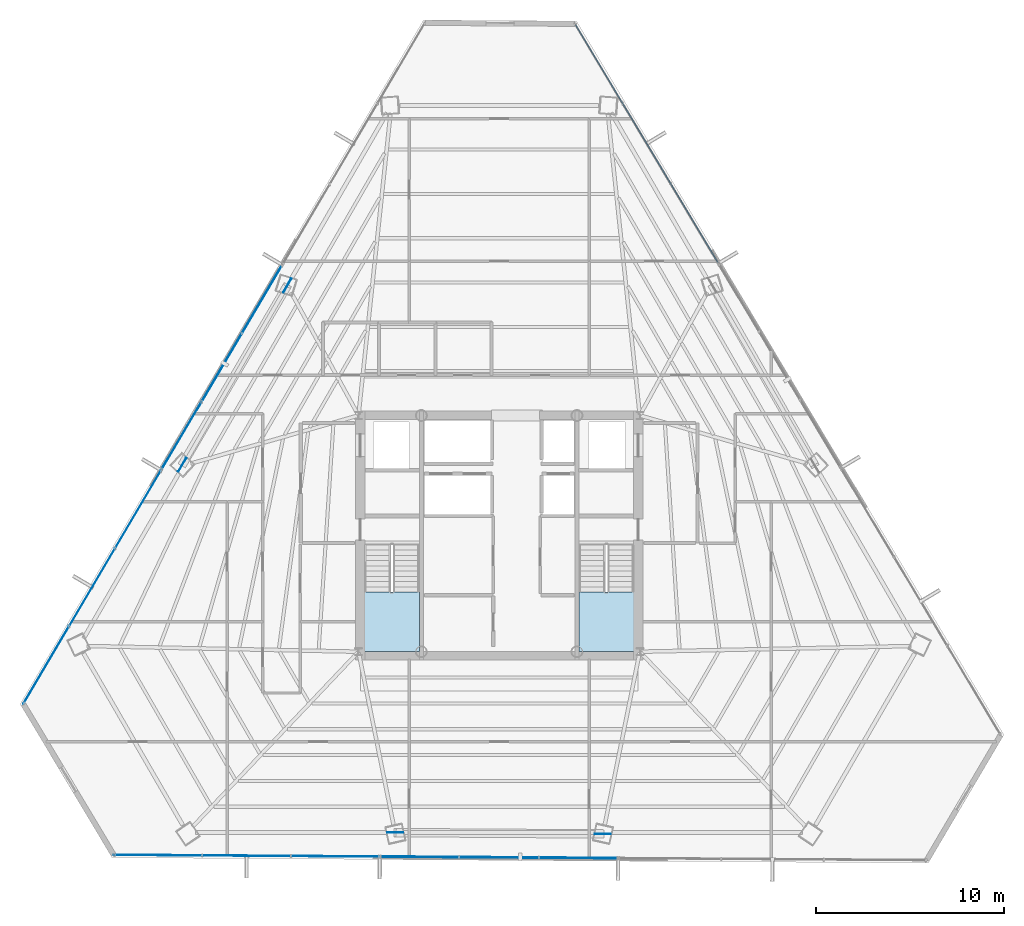
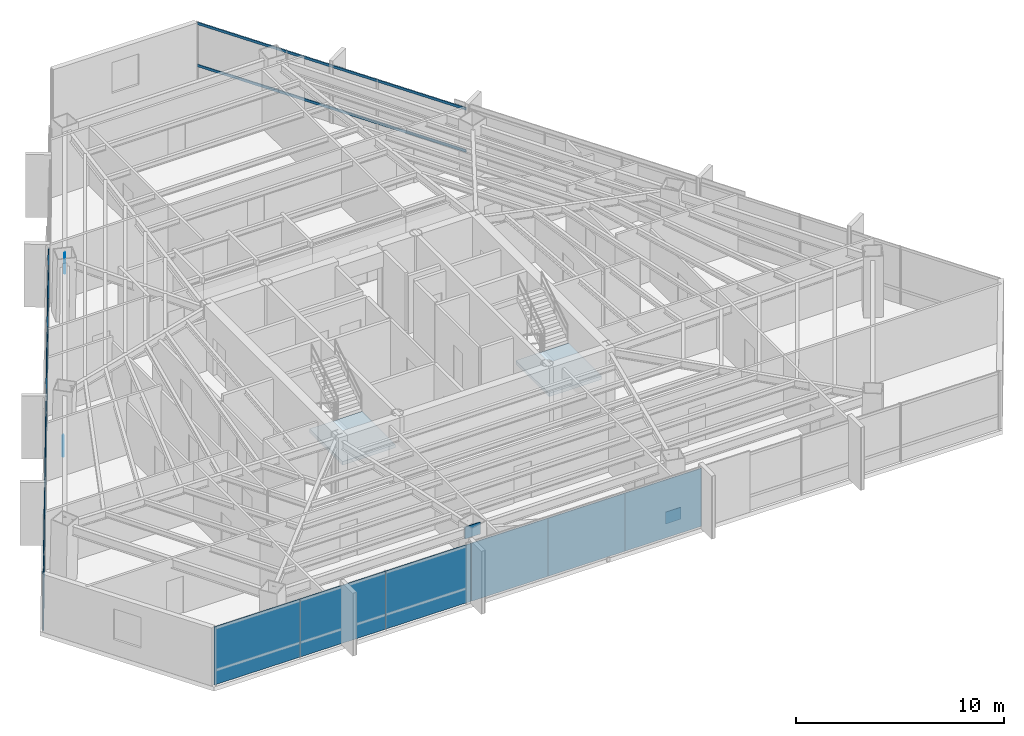
# One storey, part 33 of 41: 16 plates, 2 members, 2 slabs, 7 elements without a shape of their own.
"""IFC4 building model written with IfcOpenShell, lengths in metres."""

import ifcopenshell
import ifcopenshell.guid

model = None  # the IFC model being written
_history = None  # IfcOwnerHistory: only IFC2X3 demands one
_inside = {}  # id of a spatial element -> (the spatial element, [elements in it])
_under = {}  # id of a project, library or spatial element -> (it, [spatial elements below it])
_declared = {}  # id of a project -> (the project, [libraries it declares])
_typed = {}  # id of a type object -> (the type object, [elements of that type])
_made_of = {}  # id of a material, layer set ... -> (it, [elements and type objects made of it])


def new_model(schema):
    """Start an empty IFC model of exactly this schema.

    Asked for "IFC4X3", IfcOpenShell would pick the latest addendum, in which some entities
    have other attributes; the version numbers below select the first issue.
    IFC2X3 requires an IfcOwnerHistory on every rooted entity: one is made here for all.
    """
    global model, _history
    if schema == "IFC4X3":
        model = ifcopenshell.file(schema_version=(4, 3, 0, 0))
    else:
        model = ifcopenshell.file(schema=schema)
    _inside.clear()
    _under.clear()
    _declared.clear()
    _typed.clear()
    _made_of.clear()
    _history = None
    if model.schema == "IFC2X3":
        org = make("IfcOrganization", Name="unknown")
        user = make(
            "IfcPersonAndOrganization",
            ThePerson=make("IfcPerson", FamilyName="unknown"),
            TheOrganization=org,
        )
        app = make(
            "IfcApplication",
            ApplicationDeveloper=org,
            Version="unknown",
            ApplicationFullName="unknown",
            ApplicationIdentifier="unknown",
        )
        _history = make(
            "IfcOwnerHistory",
            OwningUser=user,
            OwningApplication=app,
            ChangeAction="ADDED",
            CreationDate=0,
        )
    return model


def make(cls, **values):
    """One entity of the class cls with the attributes given. An attribute that is None is left unset."""
    return model.create_entity(
        cls, **{name: value for name, value in values.items() if value is not None}
    )


def rooted(cls, **values):
    """An entity with a GlobalId (a new one), such as an element, a storey or a relation."""
    return make(cls, GlobalId=ifcopenshell.guid.new(), OwnerHistory=_history, **values)


def si_unit(unit_type, name, prefix=None):
    """IfcSIUnit, for example si_unit("LENGTHUNIT", "METRE", prefix="MILLI")."""
    return make("IfcSIUnit", UnitType=unit_type, Prefix=prefix, Name=name)


def assignment(units):
    """IfcUnitAssignment: the units of a project."""
    return None if units is None else make("IfcUnitAssignment", Units=units)


def point(xyz):
    """IfcCartesianPoint."""
    return None if xyz is None else make("IfcCartesianPoint", Coordinates=xyz)


def direction(xyz):
    """IfcDirection."""
    return None if xyz is None else make("IfcDirection", DirectionRatios=xyz)


def frame(location, z_axis=None, x_axis=None):
    """IfcAxis2Placement3D, a coordinate frame: its origin and axes. An axis left out is left unset."""
    return make(
        "IfcAxis2Placement3D",
        Location=point(location),
        Axis=direction(z_axis),
        RefDirection=direction(x_axis),
    )


def frame_2d(location, x_axis=None):
    """IfcAxis2Placement2D, a coordinate frame in the plane: its origin and x axis."""
    return make(
        "IfcAxis2Placement2D", Location=point(location), RefDirection=direction(x_axis)
    )


def origin():
    """The frame at (0, 0, 0) with its axes left unset."""
    return frame((0.0, 0.0, 0.0))


def origin_2d():
    """The frame at (0, 0) in the plane with its x axis left unset."""
    return frame_2d((0.0, 0.0))


def place(relative_to, where):
    """IfcLocalPlacement: puts the frame where relative to a parent placement (None: the world)."""
    return make(
        "IfcLocalPlacement", PlacementRelTo=relative_to, RelativePlacement=where
    )


def context(
    kind, dimensions, precision=None, world=None, true_north=None, identifier=None
):
    """IfcGeometricRepresentationContext, for example the 3D "Model" context."""
    return make(
        "IfcGeometricRepresentationContext",
        ContextIdentifier=identifier,
        ContextType=kind,
        CoordinateSpaceDimension=dimensions,
        Precision=precision,
        WorldCoordinateSystem=world,
        TrueNorth=true_north,
    )


def subcontext(parent, identifier, kind, view, scale=None):
    """IfcGeometricRepresentationSubContext, for example "Body" below "Model"."""
    return make(
        "IfcGeometricRepresentationSubContext",
        ContextIdentifier=identifier,
        ContextType=kind,
        ParentContext=parent,
        TargetScale=scale,
        TargetView=view,
    )


def project(units=None, contexts=None):
    """IfcProject with its units and contexts."""
    return rooted(
        "IfcProject",
        Name="project",
        RepresentationContexts=contexts,
        UnitsInContext=assignment(units),
    )


def spatial(cls, under=None, at=None, **own):
    """A site, building, storey or space (cls), placed at a placement, below another one or the project."""
    s = rooted(cls, ObjectPlacement=at, **own)
    if under is not None:
        _under.setdefault(under.id(), (under, []))[1].append(s)
    return s


def polyline(points):
    """IfcPolyline through the points."""
    return make("IfcPolyline", Points=[point(p) for p in points])


def profile(cls, at=None, kind="AREA", **sizes):
    """A parametric profile (cls). Its sizes go by their IFC names, for example OverallWidth=200.0."""
    return make(cls, ProfileType=kind, Position=at, **sizes)


def rectangle(**sizes):
    """IfcRectangleProfileDef."""
    return profile("IfcRectangleProfileDef", **sizes)


def hollow_rectangle(**sizes):
    """IfcRectangleHollowProfileDef."""
    return profile("IfcRectangleHollowProfileDef", **sizes)


def outline(outer, holes=None, kind="AREA"):
    """IfcArbitraryClosedProfileDef: a profile drawn as a closed curve; with holes, ...WithVoids."""
    if holes is None:
        return make("IfcArbitraryClosedProfileDef", ProfileType=kind, OuterCurve=outer)
    return make(
        "IfcArbitraryProfileDefWithVoids",
        ProfileType=kind,
        OuterCurve=outer,
        InnerCurves=holes,
    )


def extrude(swept, where, along, depth):
    """IfcExtrudedAreaSolid: the profile swept, set in the frame where, extruded along a direction by depth."""
    return make(
        "IfcExtrudedAreaSolid",
        SweptArea=swept,
        Position=where,
        ExtrudedDirection=direction(along),
        Depth=depth,
    )


def shape(context_of_items, identifier, shape_type, items):
    """IfcShapeRepresentation: the items that make up one representation, for example the "Body"."""
    return make(
        "IfcShapeRepresentation",
        ContextOfItems=context_of_items,
        RepresentationIdentifier=identifier,
        RepresentationType=shape_type,
        Items=items,
    )


def source(mapping_origin, context_of_items, identifier, shape_type, items):
    """IfcRepresentationMap: a shape defined once, which mapped items show again and again."""
    return make(
        "IfcRepresentationMap",
        MappingOrigin=mapping_origin,
        MappedRepresentation=shape(context_of_items, identifier, shape_type, items),
    )


def transform(
    local_origin,
    x_axis=None,
    y_axis=None,
    z_axis=None,
    scale=None,
    scale2=None,
    scale3=None,
    uniform=True,
):
    """IfcCartesianTransformationOperator3D, or its non-uniform kind. x_axis, y_axis, z_axis: its Axis1, 2, 3."""
    if uniform:
        return make(
            "IfcCartesianTransformationOperator3D",
            Axis1=direction(x_axis),
            Axis2=direction(y_axis),
            LocalOrigin=point(local_origin),
            Scale=scale,
            Axis3=direction(z_axis),
        )
    return make(
        "IfcCartesianTransformationOperator3DnonUniform",
        Axis1=direction(x_axis),
        Axis2=direction(y_axis),
        LocalOrigin=point(local_origin),
        Scale=scale,
        Axis3=direction(z_axis),
        Scale2=scale2,
        Scale3=scale3,
    )


def mapped(mapping_source, mapping_target):
    """IfcMappedItem: shows the shape of a source again, moved by a transform."""
    return make(
        "IfcMappedItem", MappingSource=mapping_source, MappingTarget=mapping_target
    )


def material(Name=None, Category=None):
    """IfcMaterial."""
    return make("IfcMaterial", Name=Name, Category=Category)


def layer(
    of_material, thickness, ventilated=None, Name=None, Category=None, Priority=None
):
    """IfcMaterialLayer: one layer of a wall or slab, of a material (None: an air gap)."""
    return make(
        "IfcMaterialLayer",
        Material=of_material,
        LayerThickness=thickness,
        IsVentilated=ventilated,
        Name=Name,
        Category=Category,
        Priority=Priority,
    )


def layer_set(layers, Name=None):
    """IfcMaterialLayerSet."""
    return make("IfcMaterialLayerSet", MaterialLayers=layers, LayerSetName=Name)


def material_profile(
    of_material, cross_section, Name=None, Category=None, Priority=None
):
    """IfcMaterialProfile: a cross section and its material."""
    return make(
        "IfcMaterialProfile",
        Name=Name,
        Material=of_material,
        Profile=cross_section,
        Priority=Priority,
        Category=Category,
    )


def profile_set(profiles, Name=None, composite=None):
    """IfcMaterialProfileSet."""
    return make(
        "IfcMaterialProfileSet",
        Name=Name,
        MaterialProfiles=profiles,
        CompositeProfile=composite,
    )


def made_of(thing, what):
    """Note that an element or type object is made of a material, layer set ...; save() writes the relation."""
    if what is not None:
        _made_of.setdefault(what.id(), (what, []))[1].append(thing)
    return thing


def type_object(cls, material=None, **own):
    """A type object (cls), such as IfcWallType, which elements share."""
    return made_of(rooted(cls, **own), material)


def type_shapes(of_type, sources):
    """Give a type object the sources (RepresentationMaps) that its elements show as mapped items."""
    of_type.RepresentationMaps = sources


def element(
    cls,
    number,
    at=None,
    inside=None,
    cuts=None,
    type_object=None,
    material=None,
    context=None,
    identifier="Body",
    shape_type=None,
    held_by="IfcProductDefinitionShape",
    body=None,
    shapes=None,
    **own,
):
    """One element of the class cls, such as IfcWall. Its Tag is "e" and its number.

    at: its placement. inside: the storey or other place that contains it. cuts: it is an
    opening in that element (IfcRelVoidsElement). A single representation is given by context,
    identifier, shape_type and body (its items); several are given by shapes. held_by: the class
    of the entity that holds the representations. save() writes the other relations.
    """
    e = rooted(cls, Tag="e%d" % number, ObjectPlacement=at, **own)
    if body is not None:
        shapes = [shape(context, identifier, shape_type, body)]
    if shapes is not None:
        e.Representation = make(held_by, Representations=shapes)
    if inside is not None:
        _inside.setdefault(inside.id(), (inside, []))[1].append(e)
    if cuts is not None:
        rooted(
            "IfcRelVoidsElement", RelatingBuildingElement=cuts, RelatedOpeningElement=e
        )
    if type_object is not None:
        _typed.setdefault(type_object.id(), (type_object, []))[1].append(e)
    return made_of(e, material)


def aggregate(whole, parts):
    """IfcRelAggregates: a whole, such as a stair, and the parts it consists of."""
    return rooted("IfcRelAggregates", RelatingObject=whole, RelatedObjects=parts)


def save(model, path):
    """Write the relations noted so far, then the file.

    IfcRelAggregates (storeys below a building ...), IfcRelContainedInSpatialStructure (elements
    in a storey), IfcRelDefinesByType, IfcRelAssociatesMaterial and IfcRelDeclares: one each for
    every whole, place, type object, material and project.
    """
    for whole, parts in _under.values():
        aggregate(whole, parts)
    for where, things in _inside.values():
        rooted(
            "IfcRelContainedInSpatialStructure",
            RelatedElements=things,
            RelatingStructure=where,
        )
    for kind, things in _typed.values():
        rooted("IfcRelDefinesByType", RelatedObjects=things, RelatingType=kind)
    for what, things in _made_of.values():
        rooted("IfcRelAssociatesMaterial", RelatedObjects=things, RelatingMaterial=what)
    for by, libraries in _declared.values():
        rooted("IfcRelDeclares", RelatingContext=by, RelatedDefinitions=libraries)
    model.write(path)


model = new_model("IFC4")

# Units and contexts
model_context = context("Model", 3, precision=1e-05, world=origin(), true_north=direction((0.0, 1.0)))
body_context = subcontext(model_context, "Body", "Model", "MODEL_VIEW")
ifc_project = project(units=[si_unit("LENGTHUNIT", "METRE"), si_unit("AREAUNIT", "SQUARE_METRE"), si_unit("VOLUMEUNIT", "CUBIC_METRE"), si_unit("PLANEANGLEUNIT", "RADIAN"), si_unit("MASSUNIT", "GRAM", prefix="KILO")], contexts=[model_context])

# Site, building, storey
site_placement = place(None, origin())
site = spatial("IfcSite", under=ifc_project, at=site_placement, CompositionType="ELEMENT")
building_placement = place(site_placement, origin())
building = spatial("IfcBuilding", under=site, at=building_placement, Name="Caelisora Broadcast Tower", CompositionType="ELEMENT")
storey_placement = place(building_placement, frame((0.0, 0.0, 173.10009765625)))
storey = spatial("IfcBuildingStorey", under=building, at=storey_placement, Name="L45", CompositionType="ELEMENT", Elevation=173.10009765625)

# Curtain wall, members
ifc_material_1 = material(Name="Unitised Aluminium and Low-E Glass Curtain Wall", Category="glass")
curtain_wall_type_1 = type_object("IfcCurtainWallType", Name="CW-Z3", PredefinedType="NOTDEFINED", material=ifc_material_1)
curtain_wall_1_placement = place(storey_placement, origin())
curtain_wall_1 = element("IfcCurtainWall", 1, at=curtain_wall_1_placement, inside=storey, type_object=curtain_wall_type_1, Name="L45 curtain wall CW-Z3", PredefinedType="NOTDEFINED")
ifc_material_2 = material(Name="Aluminium 6063-T6 Anodised Terracotta Bronze", Category="aluminium")
ifc_material_profile = material_profile(ifc_material_2, hollow_rectangle(XDim=0.06005859375, YDim=0.14990234375, WallThickness=0.00341796875, at=origin_2d()), Name="Aluminium 6063-T6 Anodised Terracotta Bronze")
ifc_profile_set = profile_set([ifc_material_profile], Name="Aluminium 6063-T6 Anodised Terracotta Bronze")
member_type = type_object("IfcMemberType", Name="CWT-02", PredefinedType="USERDEFINED", material=ifc_profile_set)
shared_shape_1 = source(origin(), body_context, "Body", "SweptSolid", [
    extrude(hollow_rectangle(XDim=0.06005859375, YDim=0.14990234375, WallThickness=0.00341796875, at=origin_2d()), origin(), (0.0, 0.0, 1.0), 14.787109375),
])
type_shapes(member_type, [shared_shape_1])
member_1_placement = place(storey_placement, frame((42.07080078125, 50.841064453125, 0.849853515625), z_axis=(0.513706434737, -0.857966024333, 0.0), x_axis=(0.857966024333, 0.513706434737, 0.0)))
member_1 = element("IfcMember", 2, at=member_1_placement, type_object=member_type, Name="L45-CW-B01 transom #1", ObjectType="TRANSOM", PredefinedType="USERDEFINED", context=body_context, shape_type="MappedRepresentation", body=[
    mapped(shared_shape_1, transform((0.0, 0.0, 0.0), scale=1.0)),
])
member_2_placement = place(storey_placement, frame((42.07080078125, 50.841064453125, 3.31982421875), z_axis=(0.513706434737, -0.857966024333, 0.0), x_axis=(0.857966024333, 0.513706434737, 0.0)))
member_2 = element("IfcMember", 3, at=member_2_placement, type_object=member_type, Name="L45-CW-B01 transom #2", ObjectType="TRANSOM", PredefinedType="USERDEFINED", context=body_context, shape_type="MappedRepresentation", body=[
    mapped(shared_shape_1, transform((0.0, 0.0, 0.0), scale=1.0)),
])
aggregate(curtain_wall_1, [member_1, member_2])

# Stair, slab
ifc_material_3 = material(Name="Concrete 40 MPa (AS 3600 N40)", Category="concrete")
stair_type_1 = type_object("IfcStairType", Name="ST-1", PredefinedType="HALF_TURN_STAIR", material=ifc_material_3)
stair_1_placement = place(storey_placement, origin())
stair_1 = element("IfcStair", 4, at=stair_1_placement, inside=storey, type_object=stair_type_1, Name="L45 West Fire-Isolated Tower Stair", PredefinedType="HALF_TURN_STAIR")
ifc_layer_1 = layer(ifc_material_3, 0.199951171875, Name="Concrete 40 MPa (AS 3600 N40)")
ifc_layer_set_1 = layer_set([ifc_layer_1], Name="Concrete 40 MPa (AS 3600 N40)")
slab_type = type_object("IfcSlabType", Name="STL-1", PredefinedType="LANDING", material=ifc_layer_set_1)
slab_1_placement = place(storey_placement, frame((0.0, 0.0, 1.625)))
slab_1 = element("IfcSlab", 5, at=slab_1_placement, type_object=slab_type, Name="ST-1 landing 1", PredefinedType="LANDING", context=body_context, shape_type="SweptSolid", body=[
    extrude(outline(polyline([(30.820068359375, 20.580078125), (30.820068359375, 17.39990234375), (33.739990234375, 17.39990234375), (33.739990234375, 20.580078125), (30.820068359375, 20.580078125)])), origin(), (0.0, 0.0, 1.0), 0.199951171875),
])
aggregate(stair_1, [slab_1])

stair_type_2 = type_object("IfcStairType", Name="ST-2", PredefinedType="HALF_TURN_STAIR", material=ifc_material_3)
stair_2_placement = place(storey_placement, origin())
stair_2 = element("IfcStair", 6, at=stair_2_placement, inside=storey, type_object=stair_type_2, Name="L45 East Fire-Isolated Tower Stair", PredefinedType="HALF_TURN_STAIR")
slab_2_placement = place(storey_placement, frame((0.0, 0.0, 1.625)))
slab_2 = element("IfcSlab", 7, at=slab_2_placement, type_object=slab_type, Name="ST-2 landing 1", PredefinedType="LANDING", context=body_context, shape_type="SweptSolid", body=[
    extrude(outline(polyline([(42.260009765625, 20.580078125), (42.260009765625, 17.39990234375), (45.179931640625, 17.39990234375), (45.179931640625, 20.580078125), (42.260009765625, 20.580078125)])), origin(), (0.0, 0.0, 1.0), 0.199951171875),
])
aggregate(stair_2, [slab_2])

# Plates
ifc_material_4 = material(Name="Steel Grade 350 L15 (AS/NZS 3678)", Category="steel")
ifc_layer_2 = layer(ifc_material_4, 0.0400390625, Name="Steel Grade 350 L15 (AS/NZS 3678)")
ifc_layer_set_2 = layer_set([ifc_layer_2], Name="Steel Grade 350 L15 (AS/NZS 3678)")
plate_type_1 = type_object("IfcPlateType", Name="GP04", PredefinedType="USERDEFINED", material=ifc_layer_set_2)
shared_shape_2 = source(origin(), body_context, "Body", "SweptSolid", [
    extrude(rectangle(XDim=0.85009765625, YDim=0.0400390625, at=origin_2d()), origin(), (0.0, 0.0, 1.0), 0.699951171875),
])
type_shapes(plate_type_1, [shared_shape_2])
for number, where, z_axis, x_axis, name in (
    (8, (26.704345703125, 36.9267578125, 2.72998046875), (0.0, 0.0, 1.0), (-0.5, -0.866025403784, 0.0), "L45 gusset plate GP04 (ND-L45-C02T)"),
    (9, (21.102783203125, 27.369384765625, -0.22998046875), (0.0, 0.0, 1.0), (-0.5, -0.866025403784, 0.0), "L45 gusset plate GP04 (ND-L45-C03B)"),
    (10, (32.452880859375, 7.75439453125, 2.72998046875), (0.0, 0.0, 1.0), (1.0, 0.0, 0.0), "L45 gusset plate GP04 (ND-L45-C06T)"),
    (11, (43.53076171875, 7.681884765625, -0.22998046875), (0.0, 0.0, 1.0), (1.0, 0.0, 0.0), "L45 gusset plate GP04 (ND-L45-C07B)"),
):
    element("IfcPlate", number, at=place(storey_placement, frame(where, z_axis=z_axis, x_axis=x_axis)), inside=storey, type_object=plate_type_1, Name=name, ObjectType="GUSSET PLATE", PredefinedType="USERDEFINED", context=body_context, shape_type="MappedRepresentation", body=[
        mapped(shared_shape_2, transform((0.0, 0.0, 0.0), scale=1.0)),
    ])

# Curtain wall, plates
ifc_material_5 = material(Name="Unitised Aluminium Insulated Shadow-Box Spandrel Curtain Wall", Category="aluminium")
curtain_wall_type_2 = type_object("IfcCurtainWallType", Name="CW-SP2", PredefinedType="NOTDEFINED", material=ifc_material_5)
curtain_wall_2_placement = place(storey_placement, origin())
curtain_wall_2 = element("IfcCurtainWall", 12, at=curtain_wall_2_placement, inside=storey, type_object=curtain_wall_type_2, Name="L45 curtain wall CW-SP2", PredefinedType="NOTDEFINED")
ifc_material_6 = material(Name="Insulated Terracotta Shadow-Box Spandrel Panel", Category="aluminium")
ifc_layer_3 = layer(ifc_material_6, 0.0439453125, Name="Insulated Terracotta Shadow-Box Spandrel Panel")
ifc_layer_set_3 = layer_set([ifc_layer_3], Name="Insulated Terracotta Shadow-Box Spandrel Panel")
plate_type_2 = type_object("IfcPlateType", Name="CWP-10", PredefinedType="CURTAIN_PANEL", material=ifc_layer_set_3)
shared_shape_3 = source(origin(), body_context, "Body", "SweptSolid", [
    extrude(rectangle(XDim=4.233642578125, YDim=0.0439453125, at=origin_2d()), origin(), (0.0, 0.0, 1.0), 3.39990234375),
])
type_shapes(plate_type_2, [shared_shape_3])
plate_1_placement = place(storey_placement, frame((42.225341796875, 6.40087890625, 0.0), z_axis=(0.0, 0.0, 1.0), x_axis=(-0.999978006703, 0.006632202536, 0.0)))
plate_1 = element("IfcPlate", 13, at=plate_1_placement, type_object=plate_type_2, Name="L45-CW-B06 spandrel panel #1", PredefinedType="CURTAIN_PANEL", context=body_context, shape_type="MappedRepresentation", body=[
    mapped(shared_shape_3, transform((0.0, 0.0, 0.0), scale=1.0)),
])
plate_2_placement = place(storey_placement, frame((37.99169921875, 6.428955078125, 0.0), z_axis=(0.0, 0.0, 1.0), x_axis=(-0.999978006703, 0.006632202536, 0.0)))
plate_2 = element("IfcPlate", 14, at=plate_2_placement, type_object=plate_type_2, Name="L45-CW-B06 spandrel panel #2", PredefinedType="CURTAIN_PANEL", context=body_context, shape_type="MappedRepresentation", body=[
    mapped(shared_shape_3, transform((0.0, 0.0, 0.0), scale=1.0)),
])
plate_3_placement = place(storey_placement, frame((33.758056640625, 6.45703125, 0.0), z_axis=(0.0, 0.0, 1.0), x_axis=(-0.999978006703, 0.006632202536, 0.0)))
plate_3 = element("IfcPlate", 15, at=plate_3_placement, type_object=plate_type_2, Name="L45-CW-B06 spandrel panel #3", PredefinedType="CURTAIN_PANEL", context=body_context, shape_type="MappedRepresentation", body=[
    mapped(shared_shape_3, transform((0.0, 0.0, 0.0), scale=1.0)),
])
aggregate(curtain_wall_2, [plate_1, plate_2, plate_3])

curtain_wall_3_placement = place(storey_placement, origin())
curtain_wall_3 = element("IfcCurtainWall", 16, at=curtain_wall_3_placement, inside=storey, type_object=curtain_wall_type_2, Name="L45 curtain wall CW-SP2", PredefinedType="NOTDEFINED")
plate_4_placement = place(storey_placement, frame((21.0537109375, 28.90380859375, 0.0), z_axis=(0.0, 0.0, 1.0), x_axis=(0.507989441341, 0.861363295878, 0.0)))
plate_4 = element("IfcPlate", 17, at=plate_4_placement, type_object=plate_type_2, Name="L45-CW-B10 spandrel panel #1", PredefinedType="CURTAIN_PANEL", context=body_context, shape_type="MappedRepresentation", body=[
    mapped(shared_shape_3, transform((0.0, 0.0, 0.0), scale=1.0)),
])
plate_5_placement = place(storey_placement, frame((23.20458984375, 32.55029296875, 0.0), z_axis=(0.0, 0.0, 1.0), x_axis=(0.507989441341, 0.861363295878, 0.0)))
plate_5 = element("IfcPlate", 18, at=plate_5_placement, type_object=plate_type_2, Name="L45-CW-B10 spandrel panel #2", PredefinedType="CURTAIN_PANEL", context=body_context, shape_type="MappedRepresentation", body=[
    mapped(shared_shape_3, transform((0.0, 0.0, 0.0), scale=1.0)),
])
plate_6_placement = place(storey_placement, frame((25.35546875, 36.197021484375, 0.0), z_axis=(0.0, 0.0, 1.0), x_axis=(0.507989441341, 0.861363295878, 0.0)))
plate_6 = element("IfcPlate", 19, at=plate_6_placement, type_object=plate_type_2, Name="L45-CW-B10 spandrel panel #3", PredefinedType="CURTAIN_PANEL", context=body_context, shape_type="MappedRepresentation", body=[
    mapped(shared_shape_3, transform((0.0, 0.0, 0.0), scale=1.0)),
])
aggregate(curtain_wall_3, [plate_4, plate_5, plate_6])

curtain_wall_4_placement = place(storey_placement, origin())
curtain_wall_4 = element("IfcCurtainWall", 20, at=curtain_wall_4_placement, inside=storey, type_object=curtain_wall_type_1, Name="L45 curtain wall CW-Z3", PredefinedType="NOTDEFINED")
ifc_material_7 = material(Name="Double Glazed Low-E Argon IGU", Category="glass")
ifc_layer_4 = layer(ifc_material_7, 0.031982421875, Name="Double Glazed Low-E Argon IGU")
ifc_layer_set_4 = layer_set([ifc_layer_4], Name="Double Glazed Low-E Argon IGU")
plate_type_3 = type_object("IfcPlateType", Name="CWP-04", PredefinedType="CURTAIN_PANEL", material=ifc_layer_set_4)
shared_shape_4 = source(origin(), body_context, "Body", "SweptSolid", [
    extrude(rectangle(XDim=4.73046875, YDim=0.031982421875, at=origin_2d()), origin(), (0.0, 0.0, 1.0), 3.39990234375),
])
plate_7_placement = place(storey_placement, frame((29.26611328125, 6.48681640625, 0.0), z_axis=(0.0, 0.0, 1.0), x_axis=(-0.999978006703, 0.006632202536, 0.0)))
plate_7 = element("IfcPlate", 21, at=plate_7_placement, type_object=plate_type_3, Name="L45-CW-B07 glazed panel #1", PredefinedType="CURTAIN_PANEL", context=body_context, shape_type="MappedRepresentation", body=[
    mapped(shared_shape_4, transform((0.0, 0.0, 0.0), scale=1.0)),
])
plate_8_placement = place(storey_placement, frame((24.53564453125, 6.51806640625, 0.0), z_axis=(0.0, 0.0, 1.0), x_axis=(-0.999978006703, 0.006632202536, 0.0)))
plate_8 = element("IfcPlate", 22, at=plate_8_placement, type_object=plate_type_3, Name="L45-CW-B07 glazed panel #2", PredefinedType="CURTAIN_PANEL", context=body_context, shape_type="MappedRepresentation", body=[
    mapped(shared_shape_4, transform((0.0, 0.0, 0.0), scale=1.0)),
])
plate_9_placement = place(storey_placement, frame((19.80517578125, 6.54931640625, 0.0), z_axis=(0.0, 0.0, 1.0), x_axis=(-0.999978006703, 0.006632202536, 0.0)))
plate_9 = element("IfcPlate", 23, at=plate_9_placement, type_object=plate_type_3, Name="L45-CW-B07 glazed panel #3", PredefinedType="CURTAIN_PANEL", context=body_context, shape_type="MappedRepresentation", body=[
    mapped(shared_shape_4, transform((0.0, 0.0, 0.0), scale=1.0)),
])
aggregate(curtain_wall_4, [plate_7, plate_8, plate_9])

curtain_wall_5_placement = place(storey_placement, origin())
curtain_wall_5 = element("IfcCurtainWall", 24, at=curtain_wall_5_placement, inside=storey, type_object=curtain_wall_type_1, Name="L45 curtain wall CW-Z3", PredefinedType="NOTDEFINED")
shared_shape_5 = source(origin(), body_context, "Body", "SweptSolid", [
    extrude(rectangle(XDim=4.82275390625, YDim=0.031982421875, at=origin_2d()), origin(), (0.0, 0.0, 1.0), 3.39990234375),
])
type_shapes(plate_type_3, [shared_shape_4, shared_shape_5])
plate_10_placement = place(storey_placement, frame((13.84814453125, 16.68701171875, 0.0), z_axis=(0.0, 0.0, 1.0), x_axis=(0.507989441341, 0.861363295878, 0.0)))
plate_10 = element("IfcPlate", 25, at=plate_10_placement, type_object=plate_type_3, Name="L45-CW-B09 glazed panel #1", PredefinedType="CURTAIN_PANEL", context=body_context, shape_type="MappedRepresentation", body=[
    mapped(shared_shape_5, transform((0.0, 0.0, 0.0), scale=1.0)),
])
plate_11_placement = place(storey_placement, frame((16.298095703125, 20.8408203125, 0.0), z_axis=(0.0, 0.0, 1.0), x_axis=(0.507989441341, 0.861363295878, 0.0)))
plate_11 = element("IfcPlate", 26, at=plate_11_placement, type_object=plate_type_3, Name="L45-CW-B09 glazed panel #2", PredefinedType="CURTAIN_PANEL", context=body_context, shape_type="MappedRepresentation", body=[
    mapped(shared_shape_5, transform((0.0, 0.0, 0.0), scale=1.0)),
])
plate_12_placement = place(storey_placement, frame((18.748291015625, 24.994873046875, 0.0), z_axis=(0.0, 0.0, 1.0), x_axis=(0.507989441341, 0.861363295878, 0.0)))
plate_12 = element("IfcPlate", 27, at=plate_12_placement, type_object=plate_type_3, Name="L45-CW-B09 glazed panel #3", PredefinedType="CURTAIN_PANEL", context=body_context, shape_type="MappedRepresentation", body=[
    mapped(shared_shape_5, transform((0.0, 0.0, 0.0), scale=1.0)),
])
aggregate(curtain_wall_5, [plate_10, plate_11, plate_12])

save(model, "model.ifc")
